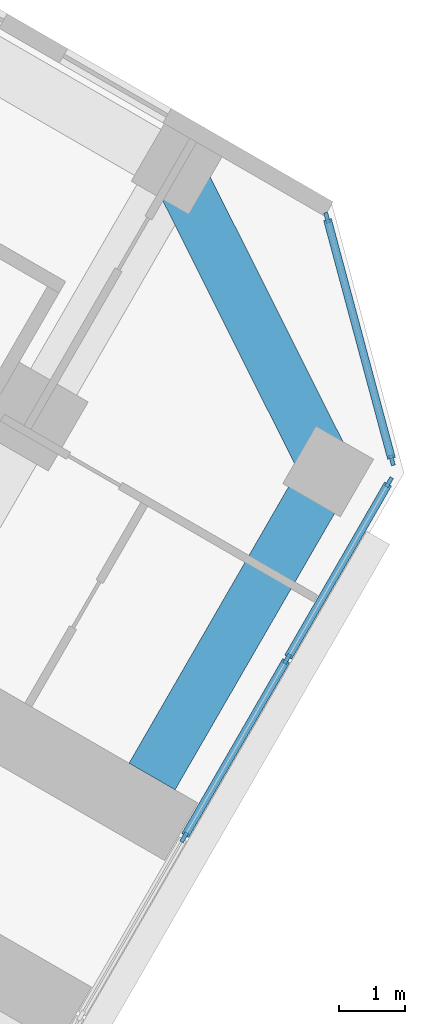
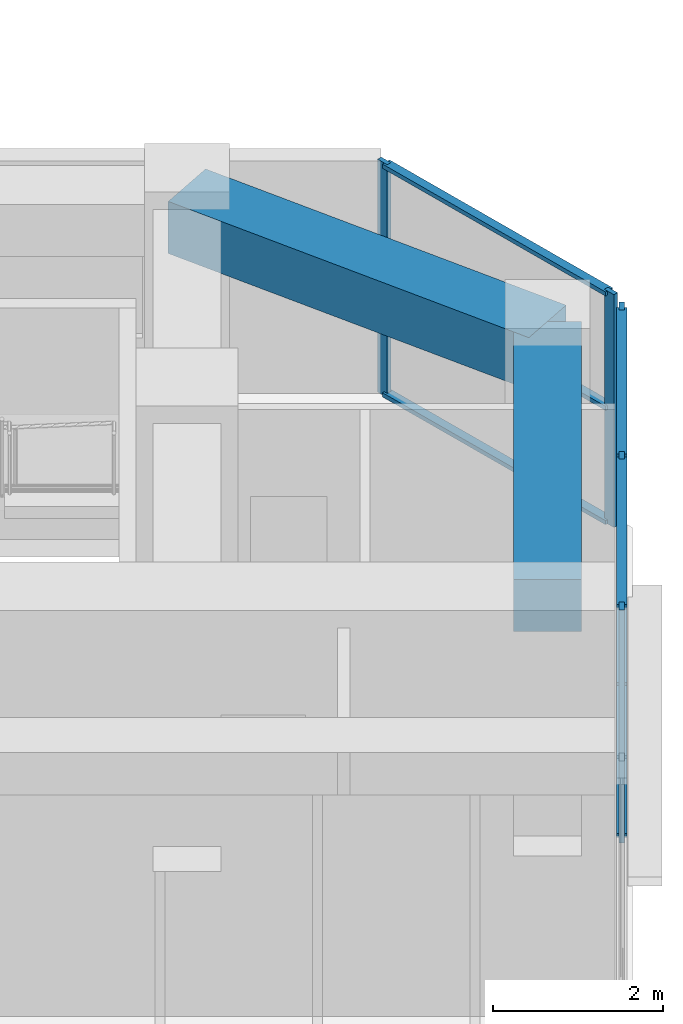
# One storey, part 8 of 21: 12 members, 2 beams, 2 elements without a shape of their own.
"""IFC4 building model written with IfcOpenShell, lengths in metres."""

import ifcopenshell
import ifcopenshell.guid

model = None  # the IFC model being written
_history = None  # IfcOwnerHistory: only IFC2X3 demands one
_inside = {}  # id of a spatial element -> (the spatial element, [elements in it])
_under = {}  # id of a project, library or spatial element -> (it, [spatial elements below it])
_declared = {}  # id of a project -> (the project, [libraries it declares])
_typed = {}  # id of a type object -> (the type object, [elements of that type])
_made_of = {}  # id of a material, layer set ... -> (it, [elements and type objects made of it])


def new_model(schema):
    """Start an empty IFC model of exactly this schema.

    Asked for "IFC4X3", IfcOpenShell would pick the latest addendum, in which some entities
    have other attributes; the version numbers below select the first issue.
    IFC2X3 requires an IfcOwnerHistory on every rooted entity: one is made here for all.
    """
    global model, _history
    if schema == "IFC4X3":
        model = ifcopenshell.file(schema_version=(4, 3, 0, 0))
    else:
        model = ifcopenshell.file(schema=schema)
    _inside.clear()
    _under.clear()
    _declared.clear()
    _typed.clear()
    _made_of.clear()
    _history = None
    if model.schema == "IFC2X3":
        org = make("IfcOrganization", Name="unknown")
        user = make(
            "IfcPersonAndOrganization",
            ThePerson=make("IfcPerson", FamilyName="unknown"),
            TheOrganization=org,
        )
        app = make(
            "IfcApplication",
            ApplicationDeveloper=org,
            Version="unknown",
            ApplicationFullName="unknown",
            ApplicationIdentifier="unknown",
        )
        _history = make(
            "IfcOwnerHistory",
            OwningUser=user,
            OwningApplication=app,
            ChangeAction="ADDED",
            CreationDate=0,
        )
    return model


def make(cls, **values):
    """One entity of the class cls with the attributes given. An attribute that is None is left unset."""
    return model.create_entity(
        cls, **{name: value for name, value in values.items() if value is not None}
    )


def rooted(cls, **values):
    """An entity with a GlobalId (a new one), such as an element, a storey or a relation."""
    return make(cls, GlobalId=ifcopenshell.guid.new(), OwnerHistory=_history, **values)


def si_unit(unit_type, name, prefix=None):
    """IfcSIUnit, for example si_unit("LENGTHUNIT", "METRE", prefix="MILLI")."""
    return make("IfcSIUnit", UnitType=unit_type, Prefix=prefix, Name=name)


def assignment(units):
    """IfcUnitAssignment: the units of a project."""
    return None if units is None else make("IfcUnitAssignment", Units=units)


def point(xyz):
    """IfcCartesianPoint."""
    return None if xyz is None else make("IfcCartesianPoint", Coordinates=xyz)


def direction(xyz):
    """IfcDirection."""
    return None if xyz is None else make("IfcDirection", DirectionRatios=xyz)


def frame(location, z_axis=None, x_axis=None):
    """IfcAxis2Placement3D, a coordinate frame: its origin and axes. An axis left out is left unset."""
    return make(
        "IfcAxis2Placement3D",
        Location=point(location),
        Axis=direction(z_axis),
        RefDirection=direction(x_axis),
    )


def frame_2d(location, x_axis=None):
    """IfcAxis2Placement2D, a coordinate frame in the plane: its origin and x axis."""
    return make(
        "IfcAxis2Placement2D", Location=point(location), RefDirection=direction(x_axis)
    )


def origin():
    """The frame at (0, 0, 0) with its axes left unset."""
    return frame((0.0, 0.0, 0.0))


def origin_2d():
    """The frame at (0, 0) in the plane with its x axis left unset."""
    return frame_2d((0.0, 0.0))


def place(relative_to, where):
    """IfcLocalPlacement: puts the frame where relative to a parent placement (None: the world)."""
    return make(
        "IfcLocalPlacement", PlacementRelTo=relative_to, RelativePlacement=where
    )


def context(
    kind, dimensions, precision=None, world=None, true_north=None, identifier=None
):
    """IfcGeometricRepresentationContext, for example the 3D "Model" context."""
    return make(
        "IfcGeometricRepresentationContext",
        ContextIdentifier=identifier,
        ContextType=kind,
        CoordinateSpaceDimension=dimensions,
        Precision=precision,
        WorldCoordinateSystem=world,
        TrueNorth=true_north,
    )


def subcontext(parent, identifier, kind, view, scale=None):
    """IfcGeometricRepresentationSubContext, for example "Body" below "Model"."""
    return make(
        "IfcGeometricRepresentationSubContext",
        ContextIdentifier=identifier,
        ContextType=kind,
        ParentContext=parent,
        TargetScale=scale,
        TargetView=view,
    )


def project(units=None, contexts=None):
    """IfcProject with its units and contexts."""
    return rooted(
        "IfcProject",
        Name="project",
        RepresentationContexts=contexts,
        UnitsInContext=assignment(units),
    )


def spatial(cls, under=None, at=None, **own):
    """A site, building, storey or space (cls), placed at a placement, below another one or the project."""
    s = rooted(cls, ObjectPlacement=at, **own)
    if under is not None:
        _under.setdefault(under.id(), (under, []))[1].append(s)
    return s


def profile(cls, at=None, kind="AREA", **sizes):
    """A parametric profile (cls). Its sizes go by their IFC names, for example OverallWidth=200.0."""
    return make(cls, ProfileType=kind, Position=at, **sizes)


def rectangle(**sizes):
    """IfcRectangleProfileDef."""
    return profile("IfcRectangleProfileDef", **sizes)


def extrude(swept, where, along, depth):
    """IfcExtrudedAreaSolid: the profile swept, set in the frame where, extruded along a direction by depth."""
    return make(
        "IfcExtrudedAreaSolid",
        SweptArea=swept,
        Position=where,
        ExtrudedDirection=direction(along),
        Depth=depth,
    )


def shape(context_of_items, identifier, shape_type, items):
    """IfcShapeRepresentation: the items that make up one representation, for example the "Body"."""
    return make(
        "IfcShapeRepresentation",
        ContextOfItems=context_of_items,
        RepresentationIdentifier=identifier,
        RepresentationType=shape_type,
        Items=items,
    )


def material(Name=None, Category=None):
    """IfcMaterial."""
    return make("IfcMaterial", Name=Name, Category=Category)


def material_profile(
    of_material, cross_section, Name=None, Category=None, Priority=None
):
    """IfcMaterialProfile: a cross section and its material."""
    return make(
        "IfcMaterialProfile",
        Name=Name,
        Material=of_material,
        Profile=cross_section,
        Priority=Priority,
        Category=Category,
    )


def profile_set(profiles, Name=None, composite=None):
    """IfcMaterialProfileSet."""
    return make(
        "IfcMaterialProfileSet",
        Name=Name,
        MaterialProfiles=profiles,
        CompositeProfile=composite,
    )


def made_of(thing, what):
    """Note that an element or type object is made of a material, layer set ...; save() writes the relation."""
    if what is not None:
        _made_of.setdefault(what.id(), (what, []))[1].append(thing)
    return thing


def type_object(cls, material=None, **own):
    """A type object (cls), such as IfcWallType, which elements share."""
    return made_of(rooted(cls, **own), material)


def element(
    cls,
    number,
    at=None,
    inside=None,
    cuts=None,
    type_object=None,
    material=None,
    context=None,
    identifier="Body",
    shape_type=None,
    held_by="IfcProductDefinitionShape",
    body=None,
    shapes=None,
    **own,
):
    """One element of the class cls, such as IfcWall. Its Tag is "e" and its number.

    at: its placement. inside: the storey or other place that contains it. cuts: it is an
    opening in that element (IfcRelVoidsElement). A single representation is given by context,
    identifier, shape_type and body (its items); several are given by shapes. held_by: the class
    of the entity that holds the representations. save() writes the other relations.
    """
    e = rooted(cls, Tag="e%d" % number, ObjectPlacement=at, **own)
    if body is not None:
        shapes = [shape(context, identifier, shape_type, body)]
    if shapes is not None:
        e.Representation = make(held_by, Representations=shapes)
    if inside is not None:
        _inside.setdefault(inside.id(), (inside, []))[1].append(e)
    if cuts is not None:
        rooted(
            "IfcRelVoidsElement", RelatingBuildingElement=cuts, RelatedOpeningElement=e
        )
    if type_object is not None:
        _typed.setdefault(type_object.id(), (type_object, []))[1].append(e)
    return made_of(e, material)


def aggregate(whole, parts):
    """IfcRelAggregates: a whole, such as a stair, and the parts it consists of."""
    return rooted("IfcRelAggregates", RelatingObject=whole, RelatedObjects=parts)


def save(model, path):
    """Write the relations noted so far, then the file.

    IfcRelAggregates (storeys below a building ...), IfcRelContainedInSpatialStructure (elements
    in a storey), IfcRelDefinesByType, IfcRelAssociatesMaterial and IfcRelDeclares: one each for
    every whole, place, type object, material and project.
    """
    for whole, parts in _under.values():
        aggregate(whole, parts)
    for where, things in _inside.values():
        rooted(
            "IfcRelContainedInSpatialStructure",
            RelatedElements=things,
            RelatingStructure=where,
        )
    for kind, things in _typed.values():
        rooted("IfcRelDefinesByType", RelatedObjects=things, RelatingType=kind)
    for what, things in _made_of.values():
        rooted("IfcRelAssociatesMaterial", RelatedObjects=things, RelatingMaterial=what)
    for by, libraries in _declared.values():
        rooted("IfcRelDeclares", RelatingContext=by, RelatedDefinitions=libraries)
    model.write(path)


model = new_model("IFC4")

# Units and contexts
model_context = context("Model", 3, precision=1e-05, world=origin(), true_north=direction((0.0, 1.0)))
body_context = subcontext(model_context, "Body", "Model", "MODEL_VIEW")
ifc_project = project(units=[si_unit("LENGTHUNIT", "METRE"), si_unit("AREAUNIT", "SQUARE_METRE"), si_unit("VOLUMEUNIT", "CUBIC_METRE"), si_unit("PLANEANGLEUNIT", "RADIAN"), si_unit("MASSUNIT", "GRAM", prefix="KILO")], contexts=[model_context])

# Site, building, storey
site_placement = place(None, origin())
site = spatial("IfcSite", under=ifc_project, at=site_placement, CompositionType="ELEMENT")
building_placement = place(site_placement, origin())
building = spatial("IfcBuilding", under=site, at=building_placement, Name="Kosmar Iwan School Tower", CompositionType="ELEMENT")
storey_placement = place(building_placement, frame((0.0, 0.0, 50.199951171875)))
storey = spatial("IfcBuildingStorey", under=building, at=storey_placement, Name="L11", CompositionType="ELEMENT", Elevation=50.199951171875)

# Curtain wall, members
ifc_material_1 = material(Name="Dark glass in black aluminium frame", Category="aluminium")
curtain_wall_type_1 = type_object("IfcCurtainWallType", Name="Tower curtain wall dark glass", PredefinedType="USERDEFINED", material=ifc_material_1)
curtain_wall_1_placement = place(storey_placement, origin())
curtain_wall_1 = element("IfcCurtainWall", 1, at=curtain_wall_1_placement, inside=storey, type_object=curtain_wall_type_1, Name="Curtain wall L11-F03", ObjectType="UNITISED CURTAIN WALL", PredefinedType="USERDEFINED")
ifc_material_2 = material(Name="Black anodised aluminium", Category="aluminium")
ifc_material_profile_1 = material_profile(ifc_material_2, rectangle(XDim=0.06005859375, YDim=0.159912109375, at=origin_2d()), Name="MULLION 60x160")
ifc_profile_set_1 = profile_set([ifc_material_profile_1], Name="Black anodised aluminium")
member_type_1 = type_object("IfcMemberType", Name="Mullion 60x160", PredefinedType="MULLION", material=ifc_profile_set_1)
member_1_placement = place(storey_placement, frame((30.631103515625, -15.8955078125, 0.0), z_axis=(0.0, 0.0, 1.0), x_axis=(-0.866025405329, 0.499999997325, 0.0)))
member_1 = element("IfcMember", 2, at=member_1_placement, type_object=member_type_1, Name="CW1 mullion 4", PredefinedType="MULLION", context=body_context, shape_type="SweptSolid", body=[
    extrude(rectangle(XDim=0.06005859375, YDim=0.159912109375, at=origin_2d()), origin(), (0.0, 0.0, 1.0), 3.35009765625),
])
member_2_placement = place(storey_placement, frame((32.1806640625, -13.21142578125, 0.0), z_axis=(0.0, 0.0, 1.0), x_axis=(-0.866025405329, 0.499999997325, 0.0)))
member_2 = element("IfcMember", 3, at=member_2_placement, type_object=member_type_1, Name="CW1 mullion 5", PredefinedType="MULLION", context=body_context, shape_type="SweptSolid", body=[
    extrude(rectangle(XDim=0.06005859375, YDim=0.159912109375, at=origin_2d()), origin(), (0.0, 0.0, 1.0), 3.35009765625),
])
member_3_placement = place(storey_placement, frame((33.71533203125, -10.55322265625, 0.0), z_axis=(0.0, 0.0, 1.0), x_axis=(-0.866025405329, 0.499999997325, 0.0)))
member_3 = element("IfcMember", 4, at=member_3_placement, type_object=member_type_1, Name="CW1 mullion 6", PredefinedType="MULLION", context=body_context, shape_type="SweptSolid", body=[
    extrude(rectangle(XDim=0.06005859375, YDim=0.159912109375, at=origin_2d()), origin(), (0.0, 0.0, 1.0), 3.35009765625),
])

ifc_material_3 = material(Name="Dark glass in black aluminium frame", Category="aluminium")
curtain_wall_type_2 = type_object("IfcCurtainWallType", Name="Chamfer curtain wall dark glass", PredefinedType="USERDEFINED", material=ifc_material_3)
curtain_wall_2_placement = place(storey_placement, origin())
curtain_wall_2 = element("IfcCurtainWall", 5, at=curtain_wall_2_placement, inside=storey, type_object=curtain_wall_type_2, Name="Curtain wall L11-F04", ObjectType="FACETED CURTAIN WALL", PredefinedType="USERDEFINED")
member_4_placement = place(storey_placement, frame((33.7587890625, -10.2236328125, 0.0), z_axis=(0.0, 0.0, 1.0), x_axis=(-0.965925875495, -0.258818861462, 0.0)))
member_4 = element("IfcMember", 6, at=member_4_placement, type_object=member_type_1, Name="CW2 mullion 1", PredefinedType="MULLION", context=body_context, shape_type="SweptSolid", body=[
    extrude(rectangle(XDim=0.06005859375, YDim=0.159912109375, at=origin_2d()), origin(), (0.0, 0.0, 1.0), 3.35009765625),
])
member_5_placement = place(storey_placement, frame((32.78076171875, -6.5732421875, 0.0), z_axis=(0.0, 0.0, 1.0), x_axis=(-0.965925875495, -0.258818861462, 0.0)))
member_5 = element("IfcMember", 7, at=member_5_placement, type_object=member_type_1, Name="CW2 mullion 2", PredefinedType="MULLION", context=body_context, shape_type="SweptSolid", body=[
    extrude(rectangle(XDim=0.06005859375, YDim=0.159912109375, at=origin_2d()), origin(), (0.0, 0.0, 1.0), 3.35009765625),
])

# Beams
ifc_material_4 = material(Name="Concrete C50/60", Category="concrete")
ifc_material_profile_2 = material_profile(ifc_material_4, rectangle(XDim=0.800048828125, YDim=0.75, at=origin_2d()), Name="RC 800x750")
ifc_profile_set_2 = profile_set([ifc_material_profile_2], Name="Concrete C50/60")
beam_type = type_object("IfcBeamType", Name="RC tip beam 800x750", PredefinedType="BEAM", material=ifc_profile_set_2)
beam_1_placement = place(storey_placement, frame((30.517822265625, -5.841552734375, 2.97509765625), z_axis=(0.44809604203, -0.893985423325, 0.0), x_axis=(0.893985423325, 0.44809604203, 0.0)))
element("IfcBeam", 8, at=beam_1_placement, inside=storey, type_object=beam_type, Name="Tip beam CL", PredefinedType="BEAM", context=body_context, shape_type="SweptSolid", body=[
    extrude(rectangle(XDim=0.800048828125, YDim=0.75, at=origin_2d()), origin(), (0.0, 0.0, 1.0), 5.08935546875),
])
beam_2_placement = place(storey_placement, frame((32.79833984375, -10.391357421875, 2.97509765625), z_axis=(-0.499973660256, -0.866040610509, 0.0), x_axis=(0.866040610509, -0.499973660256, 0.0)))
element("IfcBeam", 9, at=beam_2_placement, inside=storey, type_object=beam_type, Name="Tip beam CL to corridor wall", PredefinedType="BEAM", context=body_context, shape_type="SweptSolid", body=[
    extrude(rectangle(XDim=0.800048828125, YDim=0.75, at=origin_2d()), origin(), (0.0, 0.0, 1.0), 5.300048828125),
])

# Member
ifc_material_5 = material(Name="Black anodised aluminium", Category="aluminium")
ifc_material_profile_3 = material_profile(ifc_material_5, rectangle(XDim=0.1201171875, YDim=0.06005859375, at=origin_2d()), Name="TRANSOM 60x120")
ifc_profile_set_3 = profile_set([ifc_material_profile_3], Name="Black anodised aluminium")
member_type_2 = type_object("IfcMemberType", Name="Transom 60x120", PredefinedType="USERDEFINED", material=ifc_profile_set_3)
member_6_placement = place(storey_placement, frame((30.64599609375, -15.869384765625, 0.030029296875), z_axis=(0.500035348339, 0.866004994449, 0.0), x_axis=(-0.866004994449, 0.500035348339, 0.0)))
member_6 = element("IfcMember", 10, at=member_6_placement, type_object=member_type_2, Name="CW1 transom 4.1", ObjectType="TRANSOM", PredefinedType="USERDEFINED", context=body_context, shape_type="SweptSolid", body=[
    extrude(rectangle(XDim=0.1201171875, YDim=0.06005859375, at=origin_2d()), origin(), (0.0, 0.0, 1.0), 3.039306640625),
])

member_7_placement = place(storey_placement, frame((30.64599609375, -15.869384765625, 3.320068359375), z_axis=(0.500035348339, 0.866004994449, 0.0), x_axis=(-0.866004994449, 0.500035348339, 0.0)))
member_7 = element("IfcMember", 11, at=member_7_placement, type_object=member_type_2, Name="CW1 transom 4.2", ObjectType="TRANSOM", PredefinedType="USERDEFINED", context=body_context, shape_type="SweptSolid", body=[
    extrude(rectangle(XDim=0.1201171875, YDim=0.06005859375, at=origin_2d()), origin(), (0.0, 0.0, 1.0), 3.039306640625),
])

member_8_placement = place(storey_placement, frame((32.19580078125, -13.185302734375, 0.030029296875), z_axis=(0.500022102064, 0.866012642776, 0.0), x_axis=(-0.866012642776, 0.500022102064, 0.0)))
member_8 = element("IfcMember", 12, at=member_8_placement, type_object=member_type_2, Name="CW1 transom 5.1", ObjectType="TRANSOM", PredefinedType="USERDEFINED", context=body_context, shape_type="SweptSolid", body=[
    extrude(rectangle(XDim=0.1201171875, YDim=0.06005859375, at=origin_2d()), origin(), (0.0, 0.0, 1.0), 3.009033203125),
])

member_9_placement = place(storey_placement, frame((32.19580078125, -13.185302734375, 3.320068359375), z_axis=(0.500022102064, 0.866012642776, 0.0), x_axis=(-0.866012642776, 0.500022102064, 0.0)))
member_9 = element("IfcMember", 13, at=member_9_placement, type_object=member_type_2, Name="CW1 transom 5.2", ObjectType="TRANSOM", PredefinedType="USERDEFINED", context=body_context, shape_type="SweptSolid", body=[
    extrude(rectangle(XDim=0.1201171875, YDim=0.06005859375, at=origin_2d()), origin(), (0.0, 0.0, 1.0), 3.009033203125),
])

aggregate(curtain_wall_1, [member_1, member_2, member_3, member_6, member_7, member_8, member_9])

member_10_placement = place(storey_placement, frame((33.7509765625, -10.194580078125, 0.030029296875), z_axis=(-0.258843273983, 0.965919333854, 0.0), x_axis=(-0.965919333854, -0.258843273983, 0.0)))
member_10 = element("IfcMember", 14, at=member_10_placement, type_object=member_type_2, Name="CW2 transom 1.1", ObjectType="TRANSOM", PredefinedType="USERDEFINED", context=body_context, shape_type="SweptSolid", body=[
    extrude(rectangle(XDim=0.1201171875, YDim=0.06005859375, at=origin_2d()), origin(), (0.0, 0.0, 1.0), 3.718994140625),
])

member_11_placement = place(storey_placement, frame((33.7509765625, -10.194580078125, 1.675048828125), z_axis=(-0.258843273983, 0.965919333854, 0.0), x_axis=(-0.965919333854, -0.258843273983, 0.0)))
member_11 = element("IfcMember", 15, at=member_11_placement, type_object=member_type_2, Name="CW2 transom 1.2", ObjectType="TRANSOM", PredefinedType="USERDEFINED", context=body_context, shape_type="SweptSolid", body=[
    extrude(rectangle(XDim=0.1201171875, YDim=0.06005859375, at=origin_2d()), origin(), (0.0, 0.0, 1.0), 3.718994140625),
])

member_12_placement = place(storey_placement, frame((33.7509765625, -10.194580078125, 3.320068359375), z_axis=(-0.258843273983, 0.965919333854, 0.0), x_axis=(-0.965919333854, -0.258843273983, 0.0)))
member_12 = element("IfcMember", 16, at=member_12_placement, type_object=member_type_2, Name="CW2 transom 1.3", ObjectType="TRANSOM", PredefinedType="USERDEFINED", context=body_context, shape_type="SweptSolid", body=[
    extrude(rectangle(XDim=0.1201171875, YDim=0.06005859375, at=origin_2d()), origin(), (0.0, 0.0, 1.0), 3.718994140625),
])

aggregate(curtain_wall_2, [member_4, member_5, member_10, member_11, member_12])

save(model, "model.ifc")
